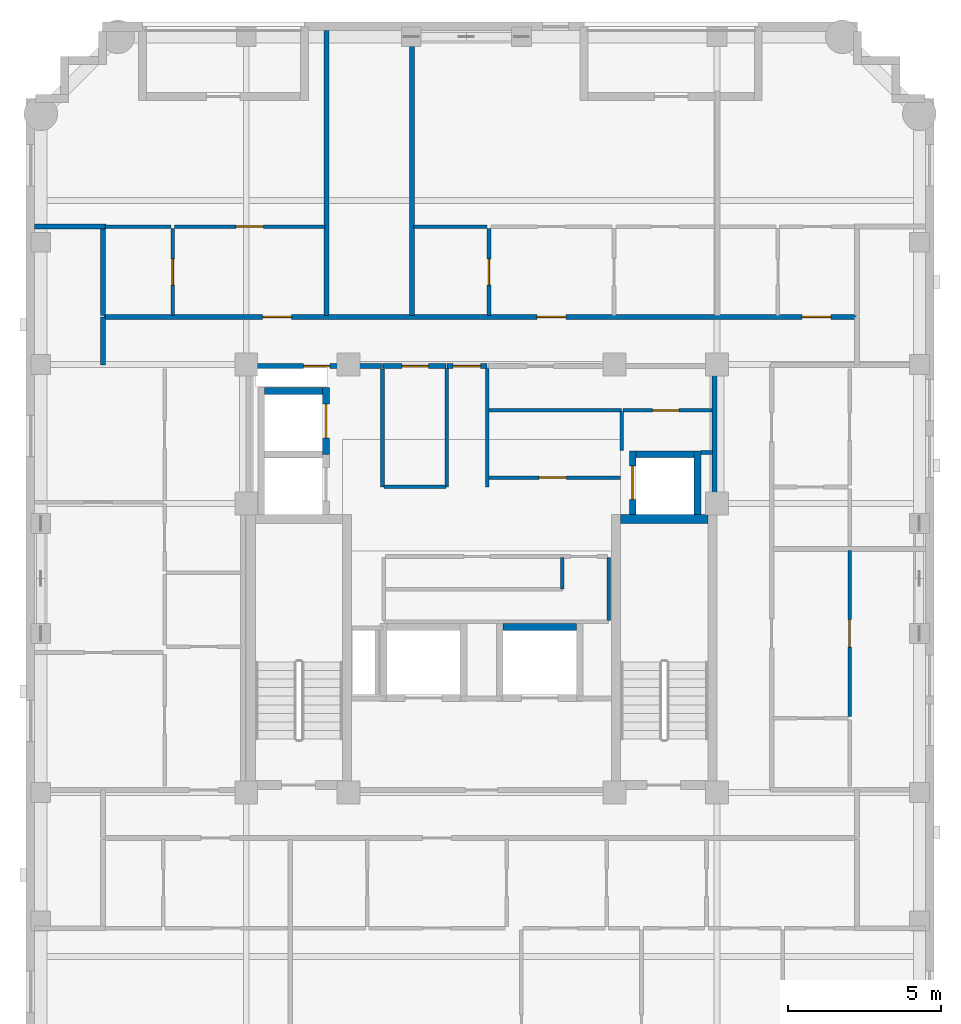
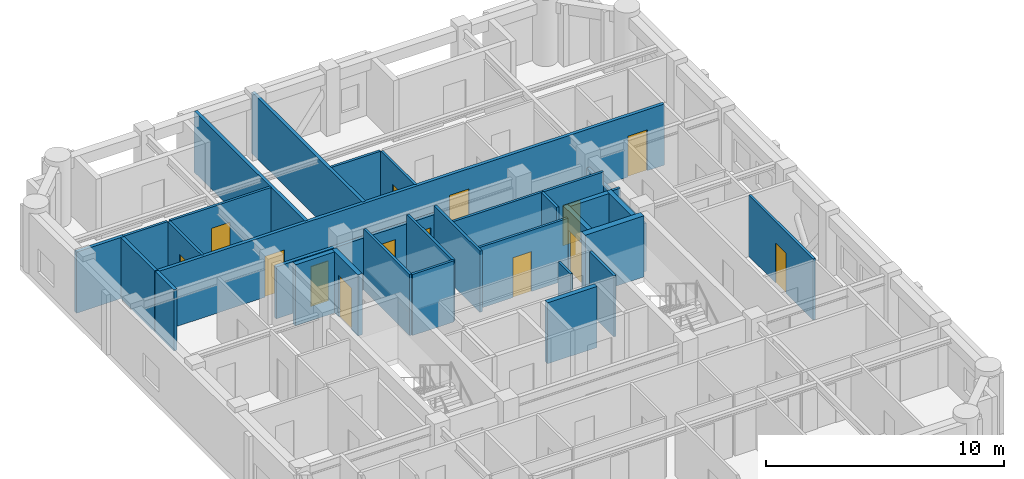
# One storey, part 5 of 10: 34 walls, 14 doors, 14 openings.
"""IFC4 building model written with IfcOpenShell, lengths in metres."""

from ifc_helpers import new_model, si_unit, derived_unit, direction, frame, frame_2d, origin, place, context, subcontext, project, spatial, rectangle, extrude, material, layer, layer_set, type_object, element, fill, save


model = new_model("IFC4")

# Units and contexts
model_context = context("Model", 3, precision=1e-05, world=origin(), true_north=direction((0.0, 1.0)))
body_context = subcontext(model_context, "Body", "Model", "MODEL_VIEW")
ifc_project = project(units=[si_unit("LENGTHUNIT", "METRE"), si_unit("AREAUNIT", "SQUARE_METRE"), si_unit("VOLUMEUNIT", "CUBIC_METRE"), si_unit("PLANEANGLEUNIT", "RADIAN"), si_unit("MASSUNIT", "GRAM", prefix="KILO"), derived_unit("THERMALTRANSMITTANCEUNIT", [(si_unit("MASSUNIT", "GRAM", prefix="KILO"), 1), (si_unit("TIMEUNIT", "SECOND"), -3), (si_unit("THERMODYNAMICTEMPERATUREUNIT", "KELVIN"), -1)])], contexts=[model_context])

# Site, building, storey
site_placement = place(None, origin())
site = spatial("IfcSite", under=ifc_project, at=site_placement, CompositionType="ELEMENT")
building_placement = place(site_placement, origin())
building = spatial("IfcBuilding", under=site, at=building_placement, Name="Korrvale Station Residences", CompositionType="ELEMENT")
storey_placement = place(building_placement, frame((0.0, 0.0, 217.300048828125)))
storey = spatial("IfcBuildingStorey", under=building, at=storey_placement, Name="L63", CompositionType="ELEMENT", Elevation=217.300048828125)

# Walls
ifc_material_1 = material(Name="Concrete C50/60", Category="concrete")
ifc_layer_1 = layer(ifc_material_1, 0.300048828125, Name="Concrete C50/60")
ifc_layer_set_1 = layer_set([ifc_layer_1], Name="Concrete C50/60")
wall_type_1 = type_object("IfcWallType", Name="WAL-CORE-300-C50", PredefinedType="SHEAR", material=ifc_layer_set_1)
wall_1_placement = place(storey_placement, frame((30.050048828125, 23.949951171875, 0.0), z_axis=(0.0, 0.0, 1.0), x_axis=(1.0, 0.0, 0.0)))
element("IfcWall", 1, at=wall_1_placement, inside=storey, type_object=wall_type_1, Name="L63 ST-2 Core Shear Wall North", PredefinedType="SHEAR", context=body_context, shape_type="SweptSolid", body=[
    extrude(rectangle(XDim=2.849853515625, YDim=0.300048828125, at=frame_2d((1.4248046875, 0.0))), origin(), (0.0, 0.0, 1.0), 3.139892578125),
])
ifc_material_2 = material(Name="Acoustic steel-stud gypsum board partition", Category="steel")
ifc_layer_2 = layer(ifc_material_2, 0.1201171875, Name="Acoustic steel-stud gypsum board partition")
ifc_layer_set_2 = layer_set([ifc_layer_2], Name="Acoustic steel-stud gypsum board partition")
wall_type_2 = type_object("IfcWallType", Name="WAL-PART-125", PredefinedType="PARTITIONING", material=ifc_layer_set_2)
for number, where, z_axis, x_axis, name in (
    (2, (24.360107421875, 25.0, 0.0), (0.0, 0.0, 1.0), (0.0, 1.0, 0.0), "L63 Core Partition CW-PSG-W"),
    (3, (25.679931640625, 25.0, 0.0), (0.0, 0.0, 1.0), (0.0, 1.0, 0.0), "L63 Core Partition CW-PSG-E"),
):
    element("IfcWall", number, at=place(storey_placement, frame(where, z_axis=z_axis, x_axis=x_axis)), inside=storey, type_object=wall_type_2, Name=name, PredefinedType="PARTITIONING", context=body_context, shape_type="SweptSolid", body=[
        extrude(rectangle(XDim=3.8701171875, YDim=0.1201171875, at=frame_2d((1.93505859375, 0.0))), origin(), (0.0, 0.0, 1.0), 3.139892578125),
    ])
wall_2_placement = place(storey_placement, frame((30.080078125, 26.179931640625, 0.0), z_axis=(0.0, 0.0, 1.0), x_axis=(0.0, 1.0, 0.0)))
element("IfcWall", 4, at=wall_2_placement, inside=storey, type_object=wall_type_2, Name="L63 Core Partition CW-CS-W", PredefinedType="PARTITIONING", context=body_context, shape_type="SweptSolid", body=[
    extrude(rectangle(XDim=1.280029296875, YDim=0.1201171875, at=frame_2d((0.64013671875, 0.0))), origin(), (0.0, 0.0, 1.0), 3.139892578125),
])
wall_3_placement = place(storey_placement, frame((32.679931640625, 26.1201171875, 0.0), z_axis=(0.0, 0.0, 1.0), x_axis=(1.0, 0.0, 0.0)))
element("IfcWall", 5, at=wall_3_placement, inside=storey, type_object=wall_type_2, Name="L63 Core Partition CW-CS-S", PredefinedType="PARTITIONING", context=body_context, shape_type="SweptSolid", body=[
    extrude(rectangle(XDim=0.380126953125, YDim=0.1201171875, at=frame_2d((0.18994140625, 0.0))), origin(), (0.0, 0.0, 1.0), 3.139892578125),
])

# Wall, opening, door
wall_4_placement = place(storey_placement, frame((30.1201171875, 27.5, 0.0), z_axis=(0.0, 0.0, 1.0), x_axis=(1.0, 0.0, 0.0)))
wall_4 = element("IfcWall", 6, at=wall_4_placement, inside=storey, type_object=wall_type_2, Name="L63 Core Partition CW-CS-H", PredefinedType="PARTITIONING", context=body_context, shape_type="SweptSolid", body=[
    extrude(rectangle(XDim=2.919921875, YDim=0.1201171875, at=frame_2d((1.4599609375, 0.0))), origin(), (0.0, 0.0, 1.0), 3.139892578125),
])
opening_1_placement = place(wall_4_placement, frame((0.969970703125, 0.0, 0.0)))
opening_1 = element("IfcOpeningElement", 7, at=opening_1_placement, cuts=wall_4, Name="Opening DB-860", PredefinedType="OPENING", context=body_context, shape_type="SweptSolid", body=[
    extrude(rectangle(XDim=0.860107421875, YDim=2.050048828125, at=frame_2d((0.43017578125, 1.02490234375))), frame((0.0, 0.070068359375, 0.0), z_axis=(0.0, -1.0, 0.0), x_axis=(1.0, 0.0, 0.0)), (0.0, 0.0, 1.0), 0.14013671875),
])
ifc_material_3 = material(Name="Moisture-resistant solid-core bathroom door", Category="timber")
door_type_1 = type_object("IfcDoorType", Name="DR-BATH-860", OperationType="NOTDEFINED", PredefinedType="DOOR", material=ifc_material_3)
door_1_placement = place(opening_1_placement, origin())
door_1 = element("IfcDoor", 8, at=door_1_placement, inside=storey, type_object=door_type_1, Name="L63 Mail Sorting Inner Door", OperationType="SINGLE_SWING_LEFT", OverallHeight=2.050048828125, OverallWidth=0.860107421875, PredefinedType="DOOR", context=body_context, shape_type="SweptSolid", body=[
    extrude(rectangle(XDim=0.860107421875, YDim=2.050048828125, at=frame_2d((0.43017578125, 1.02490234375))), frame((0.0, 0.02490234375, 0.0), z_axis=(0.0, -1.0, 0.0), x_axis=(1.0, 0.0, 0.0)), (0.0, 0.0, 1.0), 0.050048828125),
])
fill(opening_1, door_1)

# Walls
wall_5_placement = place(storey_placement, frame((22.260009765625, 25.0, 0.0), z_axis=(0.0, 0.0, 1.0), x_axis=(0.0, 1.0, 0.0)))
element("IfcWall", 9, at=wall_5_placement, inside=storey, type_object=wall_type_2, Name="L63 Core Partition CW-FPLW-W", PredefinedType="PARTITIONING", context=body_context, shape_type="SweptSolid", body=[
    extrude(rectangle(XDim=3.860107421875, YDim=0.1201171875, at=frame_2d((1.93017578125, 0.0))), origin(), (0.0, 0.0, 1.0), 3.139892578125),
])
wall_6_placement = place(storey_placement, frame((22.300048828125, 25.0, 0.0), z_axis=(0.0, 0.0, 1.0), x_axis=(1.0, 0.0, 0.0)))
element("IfcWall", 10, at=wall_6_placement, inside=storey, type_object=wall_type_2, Name="L63 Core Partition CW-FPLW-S", PredefinedType="PARTITIONING", context=body_context, shape_type="SweptSolid", body=[
    extrude(rectangle(XDim=2.0400390625, YDim=0.1201171875, at=frame_2d((1.02001953125, 0.0))), origin(), (0.0, 0.0, 1.0), 3.139892578125),
])
wall_7_placement = place(storey_placement, frame((25.719970703125, 27.5, 0.0), z_axis=(0.0, 0.0, 1.0), x_axis=(1.0, 0.0, 0.0)))
element("IfcWall", 11, at=wall_7_placement, inside=storey, type_object=wall_type_2, Name="L63 Core Partition CW-FPLE-H", PredefinedType="PARTITIONING", context=body_context, shape_type="SweptSolid", body=[
    extrude(rectangle(XDim=4.360107421875, YDim=0.1201171875, at=frame_2d((2.18017578125, 0.0))), origin(), (0.0, 0.0, 1.0), 3.139892578125),
])

# Wall, opening, door
wall_8_placement = place(storey_placement, frame((25.719970703125, 25.300048828125, 0.0), z_axis=(0.0, 0.0, 1.0), x_axis=(1.0, 0.0, 0.0)))
wall_8 = element("IfcWall", 12, at=wall_8_placement, inside=storey, type_object=wall_type_2, Name="L63 Core Partition CW-FPLE-S", PredefinedType="PARTITIONING", context=body_context, shape_type="SweptSolid", body=[
    extrude(rectangle(XDim=4.320068359375, YDim=0.1201171875, at=frame_2d((2.16015625, 0.0))), origin(), (0.0, 0.0, 1.0), 3.139892578125),
])
opening_2_placement = place(wall_8_placement, frame((1.64990234375, 0.0, 0.0)))
opening_2 = element("IfcOpeningElement", 13, at=opening_2_placement, cuts=wall_8, Name="Opening DI-900", PredefinedType="OPENING", context=body_context, shape_type="SweptSolid", body=[
    extrude(rectangle(XDim=0.89990234375, YDim=2.050048828125, at=frame_2d((0.449951171875, 1.02490234375))), frame((0.0, 0.070068359375, 0.0), z_axis=(0.0, -1.0, 0.0), x_axis=(1.0, 0.0, 0.0)), (0.0, 0.0, 1.0), 0.14013671875),
])
ifc_material_4 = material(Name="Painted solid-core timber interior room door", Category="wood")
door_type_2 = type_object("IfcDoorType", Name="DR-INT-900", OperationType="NOTDEFINED", PredefinedType="DOOR", material=ifc_material_4)
door_2_placement = place(opening_2_placement, origin())
door_2 = element("IfcDoor", 14, at=door_2_placement, inside=storey, type_object=door_type_2, Name="L63 Housekeeping Linen Door", OperationType="SINGLE_SWING_LEFT", OverallHeight=2.050048828125, OverallWidth=0.89990234375, PredefinedType="DOOR", context=body_context, shape_type="SweptSolid", body=[
    extrude(rectangle(XDim=0.89990234375, YDim=2.050048828125, at=frame_2d((0.449951171875, 1.02490234375))), frame((0.0, 0.02490234375, 0.0), z_axis=(0.0, -1.0, 0.0), x_axis=(1.0, 0.0, 0.0)), (0.0, 0.0, 1.0), 0.050048828125),
])
fill(opening_2, door_2)

# Walls
wall_9_placement = place(storey_placement, frame((29.659912109375, 20.6201171875, 0.0), z_axis=(0.0, 0.0, 1.0), x_axis=(0.0, 1.0, 0.0)))
element("IfcWall", 15, at=wall_9_placement, inside=storey, type_object=wall_type_2, Name="L63 Core Partition CW-FPM-E", PredefinedType="PARTITIONING", context=body_context, shape_type="SweptSolid", body=[
    extrude(rectangle(XDim=2.059814453125, YDim=0.1201171875, at=frame_2d((1.02978515625, 0.0))), origin(), (0.0, 0.0, 1.0), 3.139892578125),
])
wall_10_placement = place(storey_placement, frame((28.139892578125, 21.64990234375, 0.0), z_axis=(0.0, 0.0, 1.0), x_axis=(0.0, 1.0, 0.0)))
element("IfcWall", 16, at=wall_10_placement, inside=storey, type_object=wall_type_2, Name="L63 Core Partition CW-FPM-V1", PredefinedType="PARTITIONING", context=body_context, shape_type="SweptSolid", body=[
    extrude(rectangle(XDim=1.030029296875, YDim=0.1201171875, at=frame_2d((0.51513671875, 0.0))), origin(), (0.0, 0.0, 1.0), 3.139892578125),
])

# Wall, opening, door
wall_11_placement = place(storey_placement, frame((15.39697265625, 30.60009765625, 0.0), z_axis=(0.0, 0.0, 1.0), x_axis=(0.0, 1.0, 0.0)))
wall_11 = element("IfcWall", 17, at=wall_11_placement, inside=storey, type_object=wall_type_2, Name="L63 Suite Partition U03-V01", PredefinedType="PARTITIONING", context=body_context, shape_type="SweptSolid", body=[
    extrude(rectangle(XDim=2.849853515625, YDim=0.1201171875, at=frame_2d((1.4248046875, 0.0))), origin(), (0.0, 0.0, 1.0), 3.139892578125),
])
opening_3_placement = place(wall_11_placement, frame((0.9951171875, 0.0, 0.0)))
opening_3 = element("IfcOpeningElement", 18, at=opening_3_placement, cuts=wall_11, Name="Opening DB-860", PredefinedType="OPENING", context=body_context, shape_type="SweptSolid", body=[
    extrude(rectangle(XDim=0.860107421875, YDim=2.050048828125, at=frame_2d((0.43017578125, 1.02490234375))), frame((0.0, 0.070068359375, 0.0), z_axis=(0.0, -1.0, 0.0), x_axis=(1.0, 0.0, 0.0)), (0.0, 0.0, 1.0), 0.14013671875),
])
door_3_placement = place(opening_3_placement, origin())
door_3 = element("IfcDoor", 19, at=door_3_placement, inside=storey, type_object=door_type_1, Name="L63 Studio Apartment L63-U03 Bathroom Door", OperationType="SINGLE_SWING_LEFT", OverallHeight=2.050048828125, OverallWidth=0.860107421875, PredefinedType="DOOR", context=body_context, shape_type="SweptSolid", body=[
    extrude(rectangle(XDim=0.860107421875, YDim=2.050048828125, at=frame_2d((0.43017578125, 1.02490234375))), frame((0.0, 0.02490234375, 0.0), z_axis=(0.0, -1.0, 0.0), x_axis=(1.0, 0.0, 0.0)), (0.0, 0.0, 1.0), 0.050048828125),
])
fill(opening_3, door_3)

# Wall
wall_12_placement = place(storey_placement, frame((13.179931640625, 33.510009765625, 0.0), z_axis=(0.0, 0.0, 1.0), x_axis=(1.0, 0.0, 0.0)))
element("IfcWall", 20, at=wall_12_placement, inside=storey, type_object=wall_type_2, Name="L63 Suite Partition U03-H02", PredefinedType="PARTITIONING", context=body_context, shape_type="SweptSolid", body=[
    extrude(rectangle(XDim=2.156982421875, YDim=0.1201171875, at=frame_2d((1.07861328125, 0.0))), origin(), (0.0, 0.0, 1.0), 3.139892578125),
])

# Wall, opening, door
wall_13_placement = place(storey_placement, frame((15.45703125, 33.510009765625, 0.0), z_axis=(0.0, 0.0, 1.0), x_axis=(1.0, 0.0, 0.0)))
wall_13 = element("IfcWall", 21, at=wall_13_placement, inside=storey, type_object=wall_type_2, Name="L63 Suite Partition U03-H12", PredefinedType="PARTITIONING", context=body_context, shape_type="SweptSolid", body=[
    extrude(rectangle(XDim=4.9130859375, YDim=0.1201171875, at=frame_2d((2.45654296875, 0.0))), origin(), (0.0, 0.0, 1.0), 3.139892578125),
])
opening_4_placement = place(wall_13_placement, frame((2.006103515625, 0.0, 0.0)))
opening_4 = element("IfcOpeningElement", 22, at=opening_4_placement, cuts=wall_13, Name="Opening DI-900", PredefinedType="OPENING", context=body_context, shape_type="SweptSolid", body=[
    extrude(rectangle(XDim=0.89990234375, YDim=2.050048828125, at=frame_2d((0.449951171875, 1.02490234375))), frame((0.0, 0.070068359375, 0.0), z_axis=(0.0, -1.0, 0.0), x_axis=(1.0, 0.0, 0.0)), (0.0, 0.0, 1.0), 0.14013671875),
])
door_4_placement = place(opening_4_placement, origin())
door_4 = element("IfcDoor", 23, at=door_4_placement, inside=storey, type_object=door_type_2, Name="L63 Studio Apartment L63-U03 Kitchen Door", OperationType="SINGLE_SWING_RIGHT", OverallHeight=2.050048828125, OverallWidth=0.89990234375, PredefinedType="DOOR", context=body_context, shape_type="SweptSolid", body=[
    extrude(rectangle(XDim=0.89990234375, YDim=2.050048828125, at=frame_2d((0.449951171875, 1.02490234375))), frame((0.0, 0.02490234375, 0.0), z_axis=(0.0, -1.0, 0.0), x_axis=(1.0, 0.0, 0.0)), (0.0, 0.0, 1.0), 0.050048828125),
])
fill(opening_4, door_4)

wall_14_placement = place(storey_placement, frame((25.739990234375, 30.60009765625, 0.0), z_axis=(0.0, 0.0, 1.0), x_axis=(0.0, 1.0, 0.0)))
wall_14 = element("IfcWall", 24, at=wall_14_placement, inside=storey, type_object=wall_type_2, Name="L63 Suite Partition U04-V01", PredefinedType="PARTITIONING", context=body_context, shape_type="SweptSolid", body=[
    extrude(rectangle(XDim=2.849853515625, YDim=0.1201171875, at=frame_2d((1.4248046875, 0.0))), origin(), (0.0, 0.0, 1.0), 3.139892578125),
])
opening_5_placement = place(wall_14_placement, frame((0.9951171875, 0.0, 0.0)))
opening_5 = element("IfcOpeningElement", 25, at=opening_5_placement, cuts=wall_14, Name="Opening DB-860", PredefinedType="OPENING", context=body_context, shape_type="SweptSolid", body=[
    extrude(rectangle(XDim=0.860107421875, YDim=2.050048828125, at=frame_2d((0.43017578125, 1.02490234375))), frame((0.0, 0.070068359375, 0.0), z_axis=(0.0, -1.0, 0.0), x_axis=(1.0, 0.0, 0.0)), (0.0, 0.0, 1.0), 0.14013671875),
])
door_5_placement = place(opening_5_placement, origin())
door_5 = element("IfcDoor", 26, at=door_5_placement, inside=storey, type_object=door_type_1, Name="L63 Studio Apartment L63-U04 Bathroom Door", OperationType="SINGLE_SWING_LEFT", OverallHeight=2.050048828125, OverallWidth=0.860107421875, PredefinedType="DOOR", context=body_context, shape_type="SweptSolid", body=[
    extrude(rectangle(XDim=0.860107421875, YDim=2.050048828125, at=frame_2d((0.43017578125, 1.02490234375))), frame((0.0, 0.02490234375, 0.0), z_axis=(0.0, -1.0, 0.0), x_axis=(1.0, 0.0, 0.0)), (0.0, 0.0, 1.0), 0.050048828125),
])
fill(opening_5, door_5)

# Wall
wall_15_placement = place(storey_placement, frame((23.280029296875, 33.510009765625, 0.0), z_axis=(0.0, 0.0, 1.0), x_axis=(1.0, 0.0, 0.0)))
element("IfcWall", 27, at=wall_15_placement, inside=storey, type_object=wall_type_2, Name="L63 Suite Partition U04-H03", PredefinedType="PARTITIONING", context=body_context, shape_type="SweptSolid", body=[
    extrude(rectangle(XDim=2.39990234375, YDim=0.1201171875, at=frame_2d((1.199951171875, 0.0))), origin(), (0.0, 0.0, 1.0), 3.139892578125),
])

# Wall, opening, door
wall_16_placement = place(storey_placement, frame((37.5400390625, 17.489013671875, 0.0), z_axis=(0.0, 0.0, 1.0), x_axis=(0.0, 1.0, 0.0)))
wall_16 = element("IfcWall", 28, at=wall_16_placement, inside=storey, type_object=wall_type_2, Name="L63 Suite Partition U07-V12", PredefinedType="PARTITIONING", context=body_context, shape_type="SweptSolid", body=[
    extrude(rectangle(XDim=5.43310546875, YDim=0.1201171875, at=frame_2d((2.716552734375, 0.0))), origin(), (0.0, 0.0, 1.0), 3.139892578125),
])
opening_6_placement = place(wall_16_placement, frame((2.26611328125, 0.0, 0.0)))
opening_6 = element("IfcOpeningElement", 29, at=opening_6_placement, cuts=wall_16, Name="Opening DI-900", PredefinedType="OPENING", context=body_context, shape_type="SweptSolid", body=[
    extrude(rectangle(XDim=0.89990234375, YDim=2.050048828125, at=frame_2d((0.449951171875, 1.02490234375))), frame((0.0, 0.070068359375, 0.0), z_axis=(0.0, -1.0, 0.0), x_axis=(1.0, 0.0, 0.0)), (0.0, 0.0, 1.0), 0.14013671875),
])
door_6_placement = place(opening_6_placement, origin())
door_6 = element("IfcDoor", 30, at=door_6_placement, inside=storey, type_object=door_type_2, Name="L63 Studio Apartment L63-U07 Kitchen Door", OperationType="SINGLE_SWING_LEFT", OverallHeight=2.050048828125, OverallWidth=0.89990234375, PredefinedType="DOOR", context=body_context, shape_type="SweptSolid", body=[
    extrude(rectangle(XDim=0.89990234375, YDim=2.050048828125, at=frame_2d((0.449951171875, 1.02490234375))), frame((0.0, 0.02490234375, 0.0), z_axis=(0.0, -1.0, 0.0), x_axis=(1.0, 0.0, 0.0)), (0.0, 0.0, 1.0), 0.050048828125),
])
fill(opening_6, door_6)

# Wall
ifc_material_5 = material(Name="Fire-rated twin-stud gypsum and mineral wool shaftwall assembly", Category="gypsum")
ifc_layer_3 = layer(ifc_material_5, 0.159912109375, Name="Fire-rated twin-stud gypsum and mineral wool shaftwall assembly")
ifc_layer_set_3 = layer_set([ifc_layer_3], Name="Fire-rated twin-stud gypsum and mineral wool shaftwall assembly")
wall_type_3 = type_object("IfcWallType", Name="WAL-PART-200", PredefinedType="PARTITIONING", material=ifc_layer_set_3)
wall_17_placement = place(storey_placement, frame((33.1201171875, 24.1201171875, 0.0), z_axis=(0.0, 0.0, 1.0), x_axis=(0.0, 1.0, 0.0)))
element("IfcWall", 31, at=wall_17_placement, inside=storey, type_object=wall_type_3, Name="L63 Core Partition CW-E-N", PredefinedType="PARTITIONING", context=body_context, shape_type="SweptSolid", body=[
    extrude(rectangle(XDim=4.759765625, YDim=0.159912109375, at=frame_2d((2.3798828125, 0.0))), origin(), (0.0, 0.0, 1.0), 2.474853515625),
])

# Wall, opening, door
wall_18_placement = place(storey_placement, frame((24.360107421875, 28.949951171875, 0.0), z_axis=(0.0, 0.0, 1.0), x_axis=(1.0, 0.0, 0.0)))
wall_18 = element("IfcWall", 32, at=wall_18_placement, inside=storey, type_object=wall_type_3, Name="L63 Core Partition CW-LLOB-N", PredefinedType="PARTITIONING", context=body_context, shape_type="SweptSolid", body=[
    extrude(rectangle(XDim=1.31982421875, YDim=0.159912109375, at=frame_2d((0.659912109375, 0.0))), origin(), (0.0, 0.0, 1.0), 2.66796875),
])
opening_7_placement = place(wall_18_placement, frame((0.2099609375, 0.0, 0.0)))
opening_7 = element("IfcOpeningElement", 33, at=opening_7_placement, cuts=wall_18, Name="Opening DI-900", PredefinedType="OPENING", context=body_context, shape_type="SweptSolid", body=[
    extrude(rectangle(XDim=0.89990234375, YDim=2.050048828125, at=frame_2d((0.449951171875, 1.02490234375))), frame((0.0, 0.08984375, 0.0), z_axis=(0.0, -1.0, 0.0), x_axis=(1.0, 0.0, 0.0)), (0.0, 0.0, 1.0), 0.179931640625),
])
door_7_placement = place(opening_7_placement, origin())
door_7 = element("IfcDoor", 34, at=door_7_placement, inside=storey, type_object=door_type_2, Name="L63 Central Hallway North Passage Door", OperationType="SINGLE_SWING_LEFT", OverallHeight=2.050048828125, OverallWidth=0.89990234375, PredefinedType="DOOR", context=body_context, shape_type="SweptSolid", body=[
    extrude(rectangle(XDim=0.89990234375, YDim=2.050048828125, at=frame_2d((0.449951171875, 1.02490234375))), frame((0.0, 0.02490234375, 0.0), z_axis=(0.0, -1.0, 0.0), x_axis=(1.0, 0.0, 0.0)), (0.0, 0.0, 1.0), 0.050048828125),
])
fill(opening_7, door_7)

wall_19_placement = place(storey_placement, frame((17.9599609375, 28.949951171875, 0.0), z_axis=(0.0, 0.0, 1.0), x_axis=(1.0, 0.0, 0.0)))
wall_19 = element("IfcWall", 35, at=wall_19_placement, inside=storey, type_object=wall_type_3, Name="L63 Core Partition CW-NW", PredefinedType="PARTITIONING", context=body_context, shape_type="SweptSolid", body=[
    extrude(rectangle(XDim=4.2900390625, YDim=0.159912109375, at=frame_2d((2.14501953125, 0.0))), origin(), (0.0, 0.0, 1.0), 2.66796875),
])
opening_8_placement = place(wall_19_placement, frame((1.715087890625, 0.0, 0.0)))
opening_8 = element("IfcOpeningElement", 36, at=opening_8_placement, cuts=wall_19, Name="Opening DB-860", PredefinedType="OPENING", context=body_context, shape_type="SweptSolid", body=[
    extrude(rectangle(XDim=0.860107421875, YDim=2.050048828125, at=frame_2d((0.43017578125, 1.02490234375))), frame((0.0, 0.08984375, 0.0), z_axis=(0.0, -1.0, 0.0), x_axis=(1.0, 0.0, 0.0)), (0.0, 0.0, 1.0), 0.179931640625),
])
door_8_placement = place(opening_8_placement, origin())
door_8 = element("IfcDoor", 37, at=door_8_placement, inside=storey, type_object=door_type_1, Name="L63 Electrical Riser Access Door", OperationType="SINGLE_SWING_RIGHT", OverallHeight=2.050048828125, OverallWidth=0.860107421875, PredefinedType="DOOR", context=body_context, shape_type="SweptSolid", body=[
    extrude(rectangle(XDim=0.860107421875, YDim=2.050048828125, at=frame_2d((0.43017578125, 1.02490234375))), frame((0.0, 0.02490234375, 0.0), z_axis=(0.0, -1.0, 0.0), x_axis=(1.0, 0.0, 0.0)), (0.0, 0.0, 1.0), 0.050048828125),
])
fill(opening_8, door_8)

wall_20_placement = place(storey_placement, frame((22.280029296875, 28.949951171875, 0.0), z_axis=(0.0, 0.0, 1.0), x_axis=(1.0, 0.0, 0.0)))
wall_20 = element("IfcWall", 38, at=wall_20_placement, inside=storey, type_object=wall_type_3, Name="L63 Core Partition CW-FPLW-N", PredefinedType="PARTITIONING", context=body_context, shape_type="SweptSolid", body=[
    extrude(rectangle(XDim=2.06005859375, YDim=0.159912109375, at=frame_2d((1.030029296875, 0.0))), origin(), (0.0, 0.0, 1.0), 2.66796875),
])
opening_9_placement = place(wall_20_placement, frame((0.6201171875, 0.0, 0.0)))
opening_9 = element("IfcOpeningElement", 39, at=opening_9_placement, cuts=wall_20, Name="Opening DB-860", PredefinedType="OPENING", context=body_context, shape_type="SweptSolid", body=[
    extrude(rectangle(XDim=0.860107421875, YDim=2.050048828125, at=frame_2d((0.43017578125, 1.02490234375))), frame((0.0, 0.08984375, 0.0), z_axis=(0.0, -1.0, 0.0), x_axis=(1.0, 0.0, 0.0)), (0.0, 0.0, 1.0), 0.179931640625),
])
door_9_placement = place(opening_9_placement, origin())
door_9 = element("IfcDoor", 40, at=door_9_placement, inside=storey, type_object=door_type_1, Name="L63 Resident Parcel Room Door", OperationType="SINGLE_SWING_RIGHT", OverallHeight=2.050048828125, OverallWidth=0.860107421875, PredefinedType="DOOR", context=body_context, shape_type="SweptSolid", body=[
    extrude(rectangle(XDim=0.860107421875, YDim=2.050048828125, at=frame_2d((0.43017578125, 1.02490234375))), frame((0.0, 0.02490234375, 0.0), z_axis=(0.0, -1.0, 0.0), x_axis=(1.0, 0.0, 0.0)), (0.0, 0.0, 1.0), 0.050048828125),
])
fill(opening_9, door_9)

# Walls
wall_21_placement = place(storey_placement, frame((13.1201171875, 28.97998046875, 0.0), z_axis=(0.0, 0.0, 1.0), x_axis=(0.0, 1.0, 0.0)))
element("IfcWall", 41, at=wall_21_placement, inside=storey, type_object=wall_type_3, Name="L63 Corridor North West Cap", PredefinedType="PARTITIONING", context=body_context, shape_type="SweptSolid", body=[
    extrude(rectangle(XDim=1.580078125, YDim=0.159912109375, at=frame_2d((0.7900390625, 0.0))), origin(), (0.0, 0.0, 1.0), 3.139892578125),
])
wall_22_placement = place(storey_placement, frame((10.8798828125, 33.510009765625, 0.0), z_axis=(0.0, 0.0, 1.0), x_axis=(1.0, 0.0, 0.0)))
element("IfcWall", 42, at=wall_22_placement, inside=storey, type_object=wall_type_3, Name="L63 Corner Step Wall U03-L", PredefinedType="PARTITIONING", context=body_context, shape_type="SweptSolid", body=[
    extrude(rectangle(XDim=2.340087890625, YDim=0.159912109375, at=frame_2d((1.169921875, 0.0))), origin(), (0.0, 0.0, 1.0), 3.139892578125),
])
wall_23_placement = place(storey_placement, frame((13.1201171875, 30.60009765625, 0.0), z_axis=(0.0, 0.0, 1.0), x_axis=(0.0, 1.0, 0.0)))
element("IfcWall", 43, at=wall_23_placement, inside=storey, type_object=wall_type_3, Name="L63 Corner Step Cheek U03-L", PredefinedType="PARTITIONING", context=body_context, shape_type="SweptSolid", body=[
    extrude(rectangle(XDim=2.909912109375, YDim=0.159912109375, at=frame_2d((1.455078125, 0.0))), origin(), (0.0, 0.0, 1.0), 3.139892578125),
])
for number, where, z_axis, x_axis, name in (
    (44, (20.429931640625, 30.60009765625, 0.0), (0.0, 0.0, 1.0), (0.0, 1.0, 0.0), "L63 Demising Wall U03-E"),
    (45, (23.219970703125, 30.60009765625, 0.0), (0.0, 0.0, 1.0), (0.0, 1.0, 0.0), "L63 Demising Wall U04-W"),
):
    element("IfcWall", number, at=place(storey_placement, frame(where, z_axis=z_axis, x_axis=x_axis)), inside=storey, type_object=wall_type_3, Name=name, PredefinedType="PARTITIONING", context=body_context, shape_type="SweptSolid", body=[
        extrude(rectangle(XDim=9.31982421875, YDim=0.159912109375, at=frame_2d((4.659912109375, 0.0))), origin(), (0.0, 0.0, 1.0), 3.139892578125),
    ])

# Wall, openings, doors
wall_24_placement = place(storey_placement, frame((13.14990234375, 30.56005859375, 0.0), z_axis=(0.0, 0.0, 1.0), x_axis=(1.0, 0.0, 0.0)))
wall_24 = element("IfcWall", 46, at=wall_24_placement, inside=storey, type_object=wall_type_3, Name="L63 Rated Corridor Wall N", PredefinedType="PARTITIONING", context=body_context, shape_type="SweptSolid", body=[
    extrude(rectangle(XDim=24.60009765625, YDim=0.159912109375, at=frame_2d((12.300048828125, 0.0))), origin(), (0.0, 0.0, 1.0), 3.139892578125),
])
opening_10_placement = place(wall_24_placement, frame((5.18505859375, 0.0, 0.0)))
opening_10 = element("IfcOpeningElement", 47, at=opening_10_placement, cuts=wall_24, Name="Opening UD-950", PredefinedType="OPENING", context=body_context, shape_type="SweptSolid", body=[
    extrude(rectangle(XDim=0.949951171875, YDim=2.10009765625, at=frame_2d((0.47509765625, 1.050048828125))), frame((0.0, 0.08984375, 0.0), z_axis=(0.0, -1.0, 0.0), x_axis=(1.0, 0.0, 0.0)), (0.0, 0.0, 1.0), 0.179931640625),
])
opening_11_placement = place(wall_24_placement, frame((14.159912109375, 0.0, 0.0)))
opening_11 = element("IfcOpeningElement", 48, at=opening_11_placement, cuts=wall_24, Name="Opening UD-950", PredefinedType="OPENING", context=body_context, shape_type="SweptSolid", body=[
    extrude(rectangle(XDim=0.949951171875, YDim=2.10009765625, at=frame_2d((0.47509765625, 1.050048828125))), frame((0.0, 0.08984375, 0.0), z_axis=(0.0, -1.0, 0.0), x_axis=(1.0, 0.0, 0.0)), (0.0, 0.0, 1.0), 0.179931640625),
])
opening_12_placement = place(wall_24_placement, frame((22.824951171875, 0.0, 0.0)))
opening_12 = element("IfcOpeningElement", 49, at=opening_12_placement, cuts=wall_24, Name="Opening UD-950", PredefinedType="OPENING", context=body_context, shape_type="SweptSolid", body=[
    extrude(rectangle(XDim=0.949951171875, YDim=2.10009765625, at=frame_2d((0.47509765625, 1.050048828125))), frame((0.0, 0.08984375, 0.0), z_axis=(0.0, -1.0, 0.0), x_axis=(1.0, 0.0, 0.0)), (0.0, 0.0, 1.0), 0.179931640625),
])
ifc_material_6 = material(Name="Solid-core acoustic oak apartment entrance door", Category="timber")
door_type_3 = type_object("IfcDoorType", Name="DR-UNIT-950", OperationType="NOTDEFINED", PredefinedType="DOOR", material=ifc_material_6)
door_10_placement = place(opening_10_placement, origin())
door_10 = element("IfcDoor", 50, at=door_10_placement, inside=storey, type_object=door_type_3, Name="L63 Apartment L63-U03 Entrance Door", OperationType="SINGLE_SWING_RIGHT", OverallHeight=2.10009765625, OverallWidth=0.949951171875, PredefinedType="DOOR", context=body_context, shape_type="SweptSolid", body=[
    extrude(rectangle(XDim=0.949951171875, YDim=2.10009765625, at=frame_2d((0.47509765625, 1.050048828125))), frame((0.0, 0.02490234375, 0.0), z_axis=(0.0, -1.0, 0.0), x_axis=(1.0, 0.0, 0.0)), (0.0, 0.0, 1.0), 0.050048828125),
])
fill(opening_10, door_10)
door_11_placement = place(opening_11_placement, origin())
door_11 = element("IfcDoor", 51, at=door_11_placement, inside=storey, type_object=door_type_3, Name="L63 Apartment L63-U04 Entrance Door", OperationType="SINGLE_SWING_LEFT", OverallHeight=2.10009765625, OverallWidth=0.949951171875, PredefinedType="DOOR", context=body_context, shape_type="SweptSolid", body=[
    extrude(rectangle(XDim=0.949951171875, YDim=2.10009765625, at=frame_2d((0.47509765625, 1.050048828125))), frame((0.0, 0.02490234375, 0.0), z_axis=(0.0, -1.0, 0.0), x_axis=(1.0, 0.0, 0.0)), (0.0, 0.0, 1.0), 0.050048828125),
])
fill(opening_11, door_11)
door_12_placement = place(opening_12_placement, origin())
door_12 = element("IfcDoor", 52, at=door_12_placement, inside=storey, type_object=door_type_3, Name="L63 Apartment L63-U05 Entrance Door", OperationType="SINGLE_SWING_RIGHT", OverallHeight=2.10009765625, OverallWidth=0.949951171875, PredefinedType="DOOR", context=body_context, shape_type="SweptSolid", body=[
    extrude(rectangle(XDim=0.949951171875, YDim=2.10009765625, at=frame_2d((0.47509765625, 1.050048828125))), frame((0.0, 0.02490234375, 0.0), z_axis=(0.0, -1.0, 0.0), x_axis=(1.0, 0.0, 0.0)), (0.0, 0.0, 1.0), 0.050048828125),
])
fill(opening_12, door_12)

# Wall
ifc_layer_4 = layer(ifc_material_1, 0.219970703125, Name="Concrete C50/60")
ifc_layer_set_4 = layer_set([ifc_layer_4], Name="Concrete C50/60")
wall_type_4 = type_object("IfcWallType", Name="WAL-SHAFT-220-C50", PredefinedType="SHEAR", material=ifc_layer_set_4)
wall_25_placement = place(storey_placement, frame((18.39990234375, 28.1298828125, 0.0), z_axis=(0.0, 0.0, 1.0), x_axis=(1.0, 0.0, 0.0)))
element("IfcWall", 53, at=wall_25_placement, inside=storey, type_object=wall_type_4, Name="L63 Elevator PH-2 Hoistway Wall North", PredefinedType="SHEAR", context=body_context, shape_type="SweptSolid", body=[
    extrude(rectangle(XDim=1.900146484375, YDim=0.219970703125, at=frame_2d((0.9501953125, 0.0))), origin(), (0.0, 0.0, 1.0), 3.139892578125),
])

# Wall, opening, door
wall_26_placement = place(storey_placement, frame((20.409912109375, 26.06005859375, 0.0), z_axis=(0.0, 0.0, 1.0), x_axis=(0.0, 1.0, 0.0)))
wall_26 = element("IfcWall", 54, at=wall_26_placement, inside=storey, type_object=wall_type_4, Name="L63 Elevator PH-2 Hoistway Wall East", PredefinedType="SHEAR", context=body_context, shape_type="SweptSolid", body=[
    extrude(rectangle(XDim=2.179931640625, YDim=0.219970703125, at=frame_2d((1.08984375, 0.0))), origin(), (0.0, 0.0, 1.0), 3.139892578125),
])
opening_13_placement = place(wall_26_placement, frame((0.5400390625, 0.0, 0.0)))
opening_13 = element("IfcOpeningElement", 55, at=opening_13_placement, cuts=wall_26, Name="Opening LD-1100", PredefinedType="OPENING", context=body_context, shape_type="SweptSolid", body=[
    extrude(rectangle(XDim=1.10009765625, YDim=2.14990234375, at=frame_2d((0.550048828125, 1.074951171875))), frame((0.0, 0.1201171875, 0.0), z_axis=(0.0, -1.0, 0.0), x_axis=(1.0, 0.0, 0.0)), (0.0, 0.0, 1.0), 0.239990234375),
])
ifc_material_7 = material(Name="Brushed stainless-steel elevator landing sliding door", Category="steel")
door_type_4 = type_object("IfcDoorType", Name="DR-LIFT-1100", OperationType="SLIDING_TO_LEFT", PredefinedType="DOOR", material=ifc_material_7)
door_13_placement = place(opening_13_placement, origin())
door_13 = element("IfcDoor", 56, at=door_13_placement, inside=storey, type_object=door_type_4, Name="L63 Elevator PH-2 Sliding Landing Door", OperationType="SLIDING_TO_LEFT", OverallHeight=2.14990234375, OverallWidth=1.10009765625, PredefinedType="DOOR", context=body_context, shape_type="SweptSolid", body=[
    extrude(rectangle(XDim=1.10009765625, YDim=2.14990234375, at=frame_2d((0.550048828125, 1.074951171875))), frame((0.0, 0.02490234375, 0.0), z_axis=(0.0, -1.0, 0.0), x_axis=(1.0, 0.0, 0.0)), (0.0, 0.0, 1.0), 0.050048828125),
])
fill(opening_13, door_13)

# Wall
wall_27_placement = place(storey_placement, frame((30.550048828125, 26.06005859375, 0.0), z_axis=(0.0, 0.0, 1.0), x_axis=(1.0, 0.0, 0.0)))
element("IfcWall", 57, at=wall_27_placement, inside=storey, type_object=wall_type_4, Name="L63 Elevator PH-3 Hoistway Wall North", PredefinedType="SHEAR", context=body_context, shape_type="SweptSolid", body=[
    extrude(rectangle(XDim=1.89990234375, YDim=0.219970703125, at=frame_2d((0.949951171875, 0.0))), origin(), (0.0, 0.0, 1.0), 3.139892578125),
])

# Wall, opening, door
wall_28_placement = place(storey_placement, frame((30.43994140625, 24.10009765625, 0.0), z_axis=(0.0, 0.0, 1.0), x_axis=(0.0, 1.0, 0.0)))
wall_28 = element("IfcWall", 58, at=wall_28_placement, inside=storey, type_object=wall_type_4, Name="L63 Elevator PH-3 Hoistway Wall West", PredefinedType="SHEAR", context=body_context, shape_type="SweptSolid", body=[
    extrude(rectangle(XDim=2.06982421875, YDim=0.219970703125, at=frame_2d((1.034912109375, 0.0))), origin(), (0.0, 0.0, 1.0), 3.139892578125),
])
opening_14_placement = place(wall_28_placement, frame((0.485107421875, 0.0, 0.0)))
opening_14 = element("IfcOpeningElement", 59, at=opening_14_placement, cuts=wall_28, Name="Opening LD-1100", PredefinedType="OPENING", context=body_context, shape_type="SweptSolid", body=[
    extrude(rectangle(XDim=1.10009765625, YDim=2.14990234375, at=frame_2d((0.550048828125, 1.074951171875))), frame((0.0, 0.1201171875, 0.0), z_axis=(0.0, -1.0, 0.0), x_axis=(1.0, 0.0, 0.0)), (0.0, 0.0, 1.0), 0.239990234375),
])
door_14_placement = place(opening_14_placement, origin())
door_14 = element("IfcDoor", 60, at=door_14_placement, inside=storey, type_object=door_type_4, Name="L63 Elevator PH-3 Sliding Landing Door", OperationType="SLIDING_TO_LEFT", OverallHeight=2.14990234375, OverallWidth=1.10009765625, PredefinedType="DOOR", context=body_context, shape_type="SweptSolid", body=[
    extrude(rectangle(XDim=1.10009765625, YDim=2.14990234375, at=frame_2d((0.550048828125, 1.074951171875))), frame((0.0, 0.02490234375, 0.0), z_axis=(0.0, -1.0, 0.0), x_axis=(1.0, 0.0, 0.0)), (0.0, 0.0, 1.0), 0.050048828125),
])
fill(opening_14, door_14)

# Walls
wall_29_placement = place(storey_placement, frame((32.56005859375, 24.10009765625, 0.0), z_axis=(0.0, 0.0, 1.0), x_axis=(0.0, 1.0, 0.0)))
element("IfcWall", 61, at=wall_29_placement, inside=storey, type_object=wall_type_4, Name="L63 Elevator PH-3 Hoistway Wall East", PredefinedType="SHEAR", context=body_context, shape_type="SweptSolid", body=[
    extrude(rectangle(XDim=2.06982421875, YDim=0.219970703125, at=frame_2d((1.034912109375, 0.0))), origin(), (0.0, 0.0, 1.0), 3.139892578125),
])
wall_30_placement = place(storey_placement, frame((26.199951171875, 20.409912109375, 0.0), z_axis=(0.0, 0.0, 1.0), x_axis=(1.0, 0.0, 0.0)))
element("IfcWall", 62, at=wall_30_placement, inside=storey, type_object=wall_type_4, Name="L63 Elevator FFL-2 Hoistway Wall North", PredefinedType="SHEAR", context=body_context, shape_type="SweptSolid", body=[
    extrude(rectangle(XDim=2.400146484375, YDim=0.219970703125, at=frame_2d((1.2001953125, 0.0))), origin(), (0.0, 0.0, 1.0), 3.139892578125),
])

save(model, "model.ifc")
